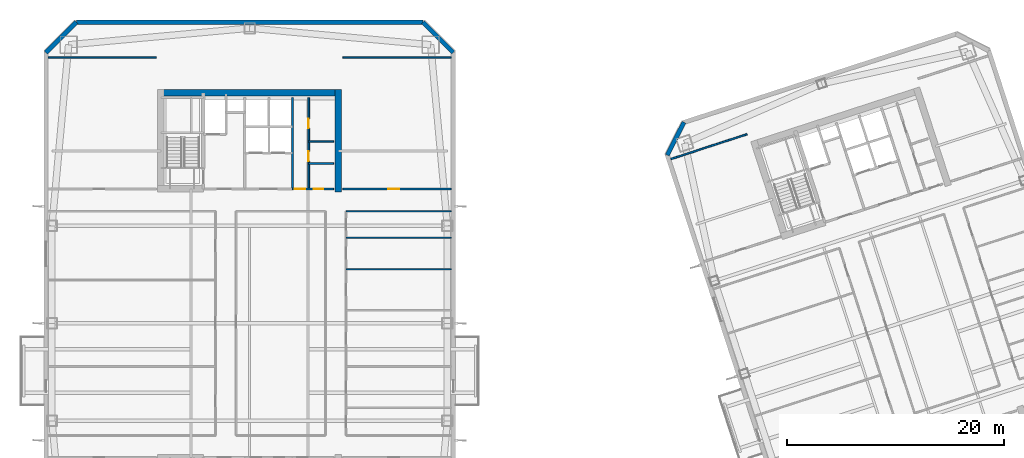
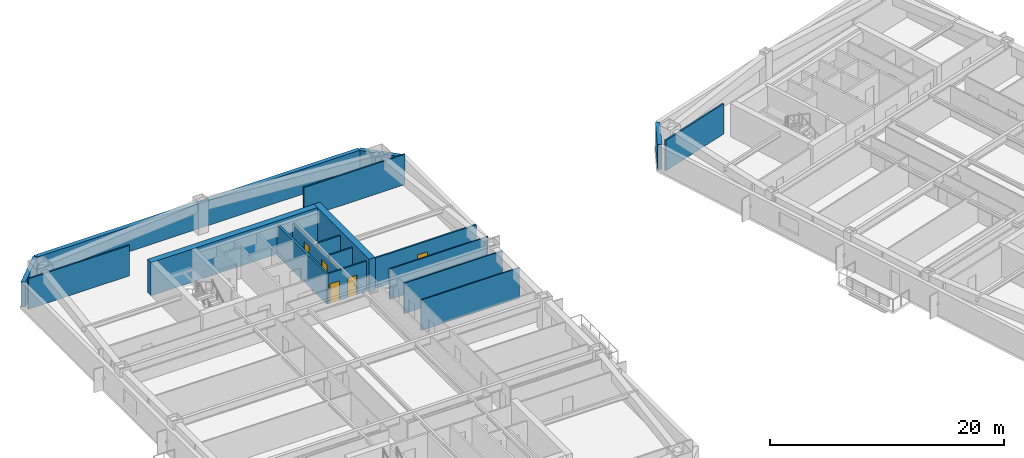
# One storey, part 7 of 17: 18 walls, 5 doors, 5 openings.
"""IFC4 building model written with IfcOpenShell, lengths in metres."""

from ifc_helpers import new_model, si_unit, direction, frame, frame_2d, origin, place, context, subcontext, project, spatial, rectangle, extrude, material, layer, layer_set, type_object, element, fill, save


model = new_model("IFC4")

# Units and contexts
model_context = context("Model", 3, precision=1e-05, world=origin(), true_north=direction((0.0, 1.0)))
body_context = subcontext(model_context, "Body", "Model", "MODEL_VIEW")
ifc_project = project(units=[si_unit("LENGTHUNIT", "METRE"), si_unit("AREAUNIT", "SQUARE_METRE"), si_unit("VOLUMEUNIT", "CUBIC_METRE"), si_unit("PLANEANGLEUNIT", "RADIAN"), si_unit("MASSUNIT", "GRAM", prefix="KILO")], contexts=[model_context])

# Site, building, storey
site_placement = place(None, origin())
site = spatial("IfcSite", under=ifc_project, at=site_placement, CompositionType="ELEMENT")
building_placement = place(site_placement, origin())
building = spatial("IfcBuilding", under=site, at=building_placement, Name="Qiaolan Cultural Towers", CompositionType="ELEMENT")
storey_placement = place(building_placement, frame((0.0, 0.0, 152.949951171875)))
storey = spatial("IfcBuildingStorey", under=building, at=storey_placement, Name="L40", CompositionType="ELEMENT", Elevation=152.949951171875)

# Walls
ifc_material_1 = material(Name="Concrete C55", Category="concrete")
ifc_layer_1 = layer(ifc_material_1, 0.60009765625)
ifc_layer_set_1 = layer_set([ifc_layer_1], Name="Concrete C55")
wall_type_1 = type_object("IfcWallType", Name="WL-CORE-600", PredefinedType="SHEAR", material=ifc_layer_set_1)
wall_1_placement = place(storey_placement, frame((21.5, 55.280029296875, 0.0), z_axis=(0.0, 0.0, 1.0), x_axis=(1.0, 0.0, 0.0)))
element("IfcWall", 1, at=wall_1_placement, inside=storey, type_object=wall_type_1, Name="L40 T1-CN Outer Core Shear Wall", PredefinedType="SHEAR", context=body_context, shape_type="SweptSolid", body=[
    extrude(rectangle(XDim=17.0, YDim=0.60009765625, at=frame_2d((8.5, 0.0))), origin(), (0.0, 0.0, 1.0), 3.449951171875),
])
wall_2_placement = place(storey_placement, frame((38.199951171875, 46.10009765625, 0.0), z_axis=(0.0, 0.0, 1.0), x_axis=(0.0, 1.0, 0.0)))
element("IfcWall", 2, at=wall_2_placement, inside=storey, type_object=wall_type_1, Name="L40 T1-CN East Core Shear Wall", PredefinedType="SHEAR", context=body_context, shape_type="SweptSolid", body=[
    extrude(rectangle(XDim=9.47998046875, YDim=0.60009765625, at=frame_2d((4.739990234375, 0.0))), origin(), (0.0, 0.0, 1.0), 3.449951171875),
])
ifc_material_2 = material(Name="Precast Concrete C50 Honed Stone Pier", Category="masonry")
ifc_layer_2 = layer(ifc_material_2, 0.39990234375)
ifc_layer_set_2 = layer_set([ifc_layer_2], Name="Precast Concrete C50 Honed Stone Pier")
wall_type_2 = type_object("IfcWallType", Name="WL-EXT-PIER-400", PredefinedType="SOLIDWALL", material=ifc_layer_set_2)
wall_3_placement = place(storey_placement, frame((11.199951171875, 59.0, 0.0), z_axis=(0.0, 0.0, 1.0), x_axis=(0.707106781187, 0.707106781187, 0.0)))
element("IfcWall", 3, at=wall_3_placement, inside=storey, type_object=wall_type_2, Name="L40 West Tower Precast Pier Facade Wall F2", PredefinedType="SOLIDWALL", context=body_context, shape_type="SweptSolid", body=[
    extrude(rectangle(XDim=3.9599609375, YDim=0.39990234375, at=frame_2d((1.97998046875, 0.0))), origin(), (0.0, 0.0, 1.0), 2.610107421875),
])
wall_4_placement = place(storey_placement, frame((14.0, 61.800048828125, 0.0), z_axis=(0.0, 0.0, 1.0), x_axis=(1.0, 0.0, 0.0)))
element("IfcWall", 4, at=wall_4_placement, inside=storey, type_object=wall_type_2, Name="L40 West Tower Precast Pier Facade Wall F3", PredefinedType="SOLIDWALL", context=body_context, shape_type="SweptSolid", body=[
    extrude(rectangle(XDim=32.0, YDim=0.39990234375, at=frame_2d((16.0, 0.0))), origin(), (0.0, 0.0, 1.0), 2.610107421875),
])
wall_5_placement = place(storey_placement, frame((46.0, 61.800048828125, 0.0), z_axis=(0.0, 0.0, 1.0), x_axis=(0.707106781187, -0.707106781187, 0.0)))
element("IfcWall", 5, at=wall_5_placement, inside=storey, type_object=wall_type_2, Name="L40 West Tower Precast Pier Facade Wall F4", PredefinedType="SOLIDWALL", context=body_context, shape_type="SweptSolid", body=[
    extrude(rectangle(XDim=3.9599609375, YDim=0.39990234375, at=frame_2d((1.97998046875, 0.0))), origin(), (0.0, 0.0, 1.0), 2.610107421875),
])
wall_6_placement = place(storey_placement, frame((68.550537109375, 49.531982421875, 0.0), z_axis=(0.0, 0.0, 1.0), x_axis=(0.454019523198, 0.890991735402, 0.0)))
element("IfcWall", 6, at=wall_6_placement, inside=storey, type_object=wall_type_2, Name="L40 East Tower Precast Pier Facade Wall F2", PredefinedType="SOLIDWALL", context=body_context, shape_type="SweptSolid", body=[
    extrude(rectangle(XDim=3.39404296875, YDim=0.39990234375, at=frame_2d((1.697021484375, 0.0))), origin(), (0.0, 0.0, 1.0), 2.610107421875),
])
ifc_material_3 = material(Name="Concrete C35 Fire Wall", Category="concrete")
ifc_layer_3 = layer(ifc_material_3, 0.199951171875)
ifc_layer_set_3 = layer_set([ifc_layer_3], Name="Concrete C35 Fire Wall")
wall_type_3 = type_object("IfcWallType", Name="WL-FIRE-200", PredefinedType="PARTITIONING", material=ifc_layer_set_3)
wall_7_placement = place(storey_placement, frame((33.949951171875, 46.39990234375, 0.0), z_axis=(0.0, 0.0, 1.0), x_axis=(0.0, 1.0, 0.0)))
element("IfcWall", 7, at=wall_7_placement, inside=storey, type_object=wall_type_3, Name="L40 T1-CN Lift Core East Wall", PredefinedType="PARTITIONING", context=body_context, shape_type="SweptSolid", body=[
    extrude(rectangle(XDim=8.43017578125, YDim=0.199951171875, at=frame_2d((4.215087890625, 0.0))), origin(), (0.0, 0.0, 1.0), 3.175048828125),
])
ifc_material_4 = material(Name="Gypsum Stud Acoustic Partition", Category="gypsum")
ifc_layer_4 = layer(ifc_material_4, 0.1201171875)
ifc_layer_set_4 = layer_set([ifc_layer_4], Name="Gypsum Stud Acoustic Partition")
wall_type_4 = type_object("IfcWallType", Name="WL-PART-120", PredefinedType="PARTITIONING", material=ifc_layer_set_4)
for number, where, z_axis, x_axis, name in (
    (8, (38.89990234375, 44.35009765625, 0.0), (0.0, 0.0, 1.0), (1.0, 0.0, 0.0), "L40 T1 Interior Wall"),
    (9, (38.89990234375, 39.0, 0.0), (0.0, 0.0, 1.0), (1.0, 0.0, 0.0), "L40 T1 Interior Wall"),
    (10, (38.89990234375, 41.89794921875, 0.0), (0.0, 0.0, 1.0), (1.0, 0.0, 0.0), "L40 T1 Interior Wall"),
):
    element("IfcWall", number, at=place(storey_placement, frame(where, z_axis=z_axis, x_axis=x_axis)), inside=storey, type_object=wall_type_4, Name=name, PredefinedType="PARTITIONING", context=body_context, shape_type="SweptSolid", body=[
        extrude(rectangle(XDim=9.7001953125, YDim=0.1201171875, at=frame_2d((4.85009765625, 0.0))), origin(), (0.0, 0.0, 1.0), 3.175048828125),
    ])

# Wall, openings, doors
ifc_material_5 = material(Name="Autoclaved Aerated Concrete Block B06", Category="concrete")
ifc_layer_5 = layer(ifc_material_5, 0.14990234375)
ifc_layer_set_5 = layer_set([ifc_layer_5], Name="Autoclaved Aerated Concrete Block B06")
wall_type_5 = type_object("IfcWallType", Name="WL-PART-150", PredefinedType="PARTITIONING", material=ifc_layer_set_5)
wall_8_placement = place(storey_placement, frame((33.949951171875, 46.39990234375, 0.0), z_axis=(0.0, 0.0, 1.0), x_axis=(1.0, 0.0, 0.0)))
wall_8 = element("IfcWall", 11, at=wall_8_placement, inside=storey, type_object=wall_type_5, Name="L40 T1-CN Sanitary Core Front Wall", PredefinedType="PARTITIONING", context=body_context, shape_type="SweptSolid", body=[
    extrude(rectangle(XDim=3.800048828125, YDim=0.14990234375, at=frame_2d((1.89990234375, 0.0))), origin(), (0.0, 0.0, 1.0), 3.175048828125),
])
opening_1_placement = place(wall_8_placement, frame((0.219970703125, 0.0, 0.0)))
opening_1 = element("IfcOpeningElement", 12, at=opening_1_placement, cuts=wall_8, Name="Opening ID-05", PredefinedType="OPENING", context=body_context, shape_type="SweptSolid", body=[
    extrude(rectangle(XDim=0.949951171875, YDim=2.050048828125, at=frame_2d((0.47509765625, 1.02490234375))), frame((0.0, 0.0849609375, 0.0), z_axis=(0.0, -1.0, 0.0), x_axis=(1.0, 0.0, 0.0)), (0.0, 0.0, 1.0), 0.169921875),
])
opening_2_placement = place(wall_8_placement, frame((1.949951171875, 0.0, 0.0)))
opening_2 = element("IfcOpeningElement", 13, at=opening_2_placement, cuts=wall_8, Name="Opening ID-06", PredefinedType="OPENING", context=body_context, shape_type="SweptSolid", body=[
    extrude(rectangle(XDim=0.89990234375, YDim=2.050048828125, at=frame_2d((0.449951171875, 1.02490234375))), frame((0.0, 0.0849609375, 0.0), z_axis=(0.0, -1.0, 0.0), x_axis=(1.0, 0.0, 0.0)), (0.0, 0.0, 1.0), 0.169921875),
])
ifc_material_6 = material(Name="Fire-Rated Laminate Core Service Door", Category="timber")
door_type_1 = type_object("IfcDoorType", Name="DR-INT-900", OperationType="NOTDEFINED", PredefinedType="DOOR", material=ifc_material_6)
door_1_placement = place(opening_2_placement, origin())
door_1 = element("IfcDoor", 14, at=door_1_placement, inside=storey, type_object=door_type_1, Name="L40 Core Tea Pantry Door", OperationType="SINGLE_SWING_RIGHT", OverallHeight=2.050048828125, OverallWidth=0.89990234375, PredefinedType="DOOR", context=body_context, shape_type="SweptSolid", body=[
    extrude(rectangle(XDim=0.89990234375, YDim=2.050048828125, at=frame_2d((0.449951171875, 1.02490234375))), frame((0.0, 0.02490234375, 0.0), z_axis=(0.0, -1.0, 0.0), x_axis=(1.0, 0.0, 0.0)), (0.0, 0.0, 1.0), 0.050048828125),
])
fill(opening_2, door_1)
ifc_material_7 = material(Name="Fire-Rated Laminate Accessible Core Door", Category="timber")
door_type_2 = type_object("IfcDoorType", Name="DR-INT-950", OperationType="NOTDEFINED", PredefinedType="DOOR", material=ifc_material_7)
door_2_placement = place(opening_1_placement, origin())
door_2 = element("IfcDoor", 15, at=door_2_placement, inside=storey, type_object=door_type_2, Name="L40 Sanitary Passage Door", OperationType="SINGLE_SWING_LEFT", OverallHeight=2.050048828125, OverallWidth=0.949951171875, PredefinedType="DOOR", context=body_context, shape_type="SweptSolid", body=[
    extrude(rectangle(XDim=0.949951171875, YDim=2.050048828125, at=frame_2d((0.47509765625, 1.02490234375))), frame((0.0, 0.02490234375, 0.0), z_axis=(0.0, -1.0, 0.0), x_axis=(1.0, 0.0, 0.0)), (0.0, 0.0, 1.0), 0.050048828125),
])
fill(opening_1, door_2)

wall_9_placement = place(storey_placement, frame((35.449951171875, 46.39990234375, 0.0), z_axis=(0.0, 0.0, 1.0), x_axis=(0.0, 1.0, 0.0)))
wall_9 = element("IfcWall", 16, at=wall_9_placement, inside=storey, type_object=wall_type_5, Name="L40 T1-CN Sanitary Corridor Wall", PredefinedType="PARTITIONING", context=body_context, shape_type="SweptSolid", body=[
    extrude(rectangle(XDim=8.43017578125, YDim=0.14990234375, at=frame_2d((4.215087890625, 0.0))), origin(), (0.0, 0.0, 1.0), 2.76513671875),
])
opening_3_placement = place(wall_9_placement, frame((2.550048828125, 0.0, 0.0)))
opening_3 = element("IfcOpeningElement", 17, at=opening_3_placement, cuts=wall_9, Name="Opening ID-05", PredefinedType="OPENING", context=body_context, shape_type="SweptSolid", body=[
    extrude(rectangle(XDim=0.949951171875, YDim=2.050048828125, at=frame_2d((0.47509765625, 1.02490234375))), frame((0.0, 0.0849609375, 0.0), z_axis=(0.0, -1.0, 0.0), x_axis=(1.0, 0.0, 0.0)), (0.0, 0.0, 1.0), 0.169921875),
])
opening_4_placement = place(wall_9_placement, frame((5.60009765625, 0.0, 0.0)))
opening_4 = element("IfcOpeningElement", 18, at=opening_4_placement, cuts=wall_9, Name="Opening ID-06", PredefinedType="OPENING", context=body_context, shape_type="SweptSolid", body=[
    extrude(rectangle(XDim=0.89990234375, YDim=2.050048828125, at=frame_2d((0.449951171875, 1.02490234375))), frame((0.0, 0.0849609375, 0.0), z_axis=(0.0, -1.0, 0.0), x_axis=(1.0, 0.0, 0.0)), (0.0, 0.0, 1.0), 0.169921875),
])
door_3_placement = place(opening_4_placement, origin())
door_3 = element("IfcDoor", 19, at=door_3_placement, inside=storey, type_object=door_type_1, Name="L40 Staff Restroom Door", OperationType="SINGLE_SWING_RIGHT", OverallHeight=2.050048828125, OverallWidth=0.89990234375, PredefinedType="DOOR", context=body_context, shape_type="SweptSolid", body=[
    extrude(rectangle(XDim=0.89990234375, YDim=2.050048828125, at=frame_2d((0.449951171875, 1.02490234375))), frame((0.0, 0.02490234375, 0.0), z_axis=(0.0, -1.0, 0.0), x_axis=(1.0, 0.0, 0.0)), (0.0, 0.0, 1.0), 0.050048828125),
])
fill(opening_4, door_3)
door_4_placement = place(opening_3_placement, origin())
door_4 = element("IfcDoor", 20, at=door_4_placement, inside=storey, type_object=door_type_2, Name="L40 Accessible Washroom Door", OperationType="SINGLE_SWING_LEFT", OverallHeight=2.050048828125, OverallWidth=0.949951171875, PredefinedType="DOOR", context=body_context, shape_type="SweptSolid", body=[
    extrude(rectangle(XDim=0.949951171875, YDim=2.050048828125, at=frame_2d((0.47509765625, 1.02490234375))), frame((0.0, 0.02490234375, 0.0), z_axis=(0.0, -1.0, 0.0), x_axis=(1.0, 0.0, 0.0)), (0.0, 0.0, 1.0), 0.050048828125),
])
fill(opening_3, door_4)

# Walls
for number, where, z_axis, x_axis, name in (
    (21, (35.449951171875, 50.800048828125, 0.0), (0.0, 0.0, 1.0), (1.0, 0.0, 0.0), "L40 T1-CN Restroom Split Wall"),
    (22, (35.449951171875, 48.75, 0.0), (0.0, 0.0, 1.0), (1.0, 0.0, 0.0), "L40 T1-CN Core Pantry Wall"),
):
    element("IfcWall", number, at=place(storey_placement, frame(where, z_axis=z_axis, x_axis=x_axis)), inside=storey, type_object=wall_type_5, Name=name, PredefinedType="PARTITIONING", context=body_context, shape_type="SweptSolid", body=[
        extrude(rectangle(XDim=2.300048828125, YDim=0.14990234375, at=frame_2d((1.14990234375, 0.0))), origin(), (0.0, 0.0, 1.0), 3.175048828125),
    ])
for number, where, z_axis, x_axis, name in (
    (23, (11.39990234375, 58.550048828125, 0.0), (0.0, 0.0, 1.0), (1.0, 0.0, 0.0), "L40 T1 Flank Wall FLK-NW"),
    (24, (38.60009765625, 58.550048828125, 0.0), (0.0, 0.0, 1.0), (1.0, 0.0, 0.0), "L40 T1 Flank Wall FLK-NE"),
):
    element("IfcWall", number, at=place(storey_placement, frame(where, z_axis=z_axis, x_axis=x_axis)), inside=storey, type_object=wall_type_5, Name=name, PredefinedType="PARTITIONING", context=body_context, shape_type="SweptSolid", body=[
        extrude(rectangle(XDim=10.0, YDim=0.14990234375, at=frame_2d((5.0, 0.0))), origin(), (0.0, 0.0, 1.0), 3.175048828125),
    ])

# Wall, opening, door
wall_10_placement = place(storey_placement, frame((38.60009765625, 46.39990234375, 0.0), z_axis=(0.0, 0.0, 1.0), x_axis=(1.0, 0.0, 0.0)))
wall_10 = element("IfcWall", 25, at=wall_10_placement, inside=storey, type_object=wall_type_5, Name="L40 T1 Flank Front FLK-NE", PredefinedType="PARTITIONING", context=body_context, shape_type="SweptSolid", body=[
    extrude(rectangle(XDim=10.0, YDim=0.14990234375, at=frame_2d((5.0, 0.0))), origin(), (0.0, 0.0, 1.0), 3.175048828125),
])
opening_5_placement = place(wall_10_placement, frame((4.199951171875, 0.0, 0.0)))
opening_5 = element("IfcOpeningElement", 26, at=opening_5_placement, cuts=wall_10, Name="Opening ID-04", PredefinedType="OPENING", context=body_context, shape_type="SweptSolid", body=[
    extrude(rectangle(XDim=1.0, YDim=2.050048828125, at=frame_2d((0.5, 1.02490234375))), frame((0.0, 0.0849609375, 0.0), z_axis=(0.0, -1.0, 0.0), x_axis=(1.0, 0.0, 0.0)), (0.0, 0.0, 1.0), 0.169921875),
])
ifc_material_8 = material(Name="Oak Veneer Acoustic Office Door", Category="timber")
door_type_3 = type_object("IfcDoorType", Name="DR-INT-1000", OperationType="NOTDEFINED", PredefinedType="DOOR", material=ifc_material_8)
door_5_placement = place(opening_5_placement, origin())
door_5 = element("IfcDoor", 27, at=door_5_placement, inside=storey, type_object=door_type_3, Name="L40 T1 Corner Studio Door", OperationType="SINGLE_SWING_LEFT", OverallHeight=2.050048828125, OverallWidth=1.0, PredefinedType="DOOR", context=body_context, shape_type="SweptSolid", body=[
    extrude(rectangle(XDim=1.0, YDim=2.050048828125, at=frame_2d((0.5, 1.02490234375))), frame((0.0, 0.02490234375, 0.0), z_axis=(0.0, -1.0, 0.0), x_axis=(1.0, 0.0, 0.0)), (0.0, 0.0, 1.0), 0.050048828125),
])
fill(opening_5, door_5)

# Wall
wall_11_placement = place(storey_placement, frame((68.8798828125, 49.165771484375, 0.0), z_axis=(0.0, 0.0, 1.0), x_axis=(0.951060977215, 0.309003264738, 0.0)))
element("IfcWall", 28, at=wall_11_placement, inside=storey, type_object=wall_type_5, Name="L40 T2 Flank Wall FLK-NW", PredefinedType="PARTITIONING", context=body_context, shape_type="SweptSolid", body=[
    extrude(rectangle(XDim=7.39990234375, YDim=0.14990234375, at=frame_2d((3.699951171875, 0.0))), origin(), (0.0, 0.0, 1.0), 3.175048828125),
])

save(model, "model.ifc")
